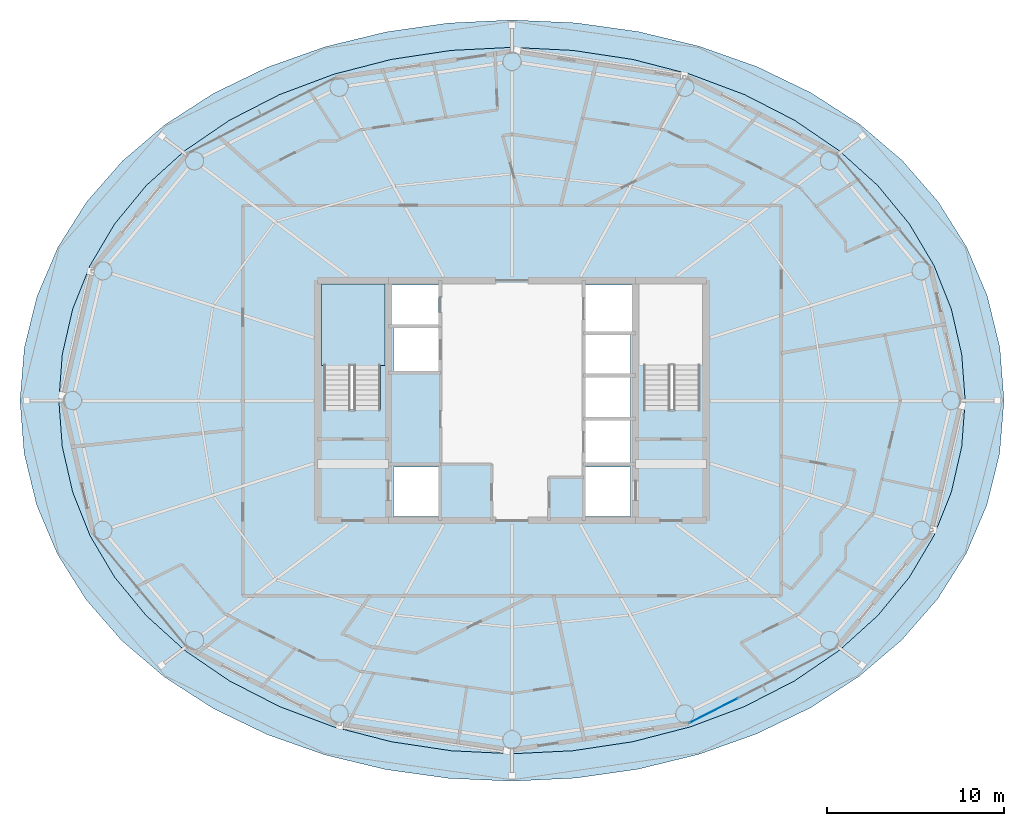
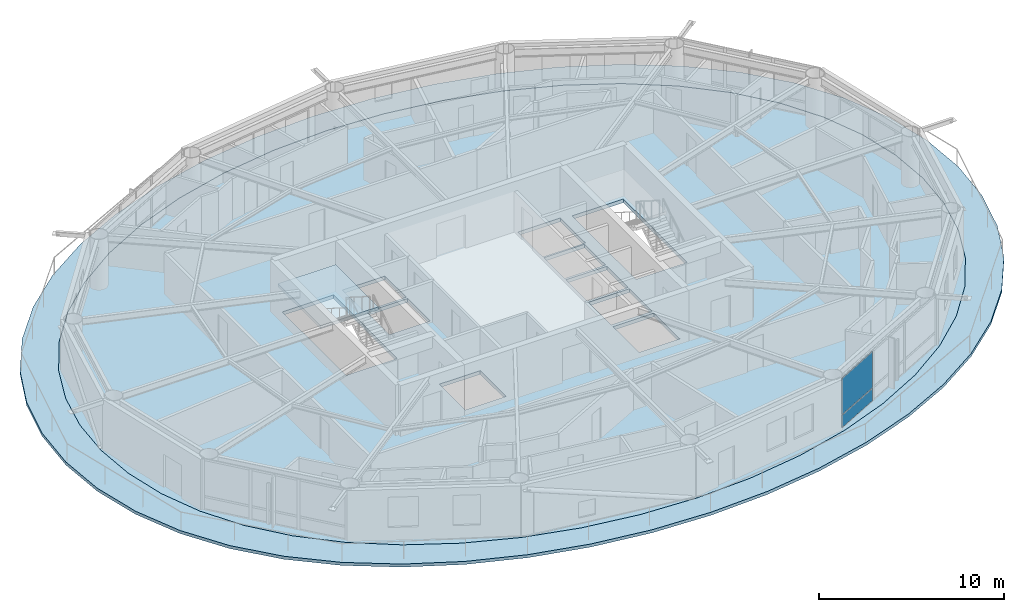
# One storey, part 13 of 23: 3 slabs, 2 plates, 2 elements without a shape of their own.
"""IFC4 building model written with IfcOpenShell, lengths in metres."""

from ifc_helpers import new_model, si_unit, direction, frame, origin, origin_2d, place, context, subcontext, project, spatial, polyline, rectangle, outline, extrude, material, layer, layer_set, type_object, element, aggregate, save


model = new_model("IFC4")

# Units and contexts
model_context = context("Model", 3, precision=1e-05, world=origin(), true_north=direction((0.0, 1.0)))
body_context = subcontext(model_context, "Body", "Model", "MODEL_VIEW")
ifc_project = project(units=[si_unit("LENGTHUNIT", "METRE"), si_unit("AREAUNIT", "SQUARE_METRE"), si_unit("VOLUMEUNIT", "CUBIC_METRE"), si_unit("PLANEANGLEUNIT", "RADIAN"), si_unit("MASSUNIT", "GRAM", prefix="KILO")], contexts=[model_context])

# Site, building, storey
site_placement = place(None, origin())
site = spatial("IfcSite", under=ifc_project, at=site_placement, CompositionType="ELEMENT")
building_placement = place(site_placement, origin())
building = spatial("IfcBuilding", under=site, at=building_placement, Name="Sarneth Arch Tower", CompositionType="ELEMENT")
storey_placement = place(building_placement, frame((0.0, 0.0, 246.0)))
storey = spatial("IfcBuildingStorey", under=building, at=storey_placement, Name="L63", CompositionType="ELEMENT", Elevation=246.0)

# Curtain wall, plates
ifc_material_1 = material(Name="Anodised aluminium Type AA25 and solar-control low-e laminated IGU", Category="aluminium")
ifc_layer_1 = layer(ifc_material_1, 0.179931640625)
ifc_layer_set_1 = layer_set([ifc_layer_1], Name="Anodised aluminium Type AA25 and solar-control low-e laminated IGU")
curtain_wall_type = type_object("IfcCurtainWallType", Name="CW-RES-HIGH", PredefinedType="NOTDEFINED", material=ifc_layer_set_1)
curtain_wall_placement = place(storey_placement, origin())
curtain_wall = element("IfcCurtainWall", 1, at=curtain_wall_placement, inside=storey, type_object=curtain_wall_type, Name="L63 Unitised curtain wall facet 14", PredefinedType="NOTDEFINED")
ifc_material_2 = material(Name="Solar-control low-e laminated IGU", Category="glass")
ifc_layer_2 = layer(ifc_material_2, 0.028076171875)
ifc_layer_set_2 = layer_set([ifc_layer_2], Name="Solar-control low-e laminated IGU")
plate_type = type_object("IfcPlateType", Name="CW-PANEL", PredefinedType="CURTAIN_PANEL", material=ifc_layer_set_2)
plate_1_placement = place(storey_placement, frame((59.4208984375, 24.447021484375, 0.06005859375), z_axis=(0.0, 0.0, 1.0), x_axis=(0.890009540525, 0.455941901753, 0.0)))
plate_1 = element("IfcPlate", 2, at=plate_1_placement, type_object=plate_type, Name="Curtain wall glazed vision pane CW-L63-F14/P00-00", PredefinedType="CURTAIN_PANEL", context=body_context, shape_type="SweptSolid", body=[
    extrude(rectangle(XDim=3.044677734375, YDim=0.028076171875, at=origin_2d()), origin(), (0.0, 0.0, 1.0), 0.81005859375),
])
plate_2_placement = place(storey_placement, frame((59.4208984375, 24.447021484375, 0.929931640625), z_axis=(0.0, 0.0, 1.0), x_axis=(0.890009540525, 0.455941901753, 0.0)))
plate_2 = element("IfcPlate", 3, at=plate_2_placement, type_object=plate_type, Name="Curtain wall glazed vision pane CW-L63-F14/P00-01", PredefinedType="CURTAIN_PANEL", context=body_context, shape_type="SweptSolid", body=[
    extrude(rectangle(XDim=3.044677734375, YDim=0.028076171875, at=origin_2d()), origin(), (0.0, 0.0, 1.0), 2.3701171875),
])
aggregate(curtain_wall, [plate_1, plate_2])

# Slab
ifc_material_3 = material(Name="Concrete C50/60", Category="concrete")
ifc_layer_3 = layer(ifc_material_3, 0.199951171875)
ifc_layer_set_3 = layer_set([ifc_layer_3], Name="Concrete C50/60")
slab_type_1 = type_object("IfcSlabType", Name="SLAB-BALC-200", PredefinedType="FLOOR", material=ifc_layer_set_3)
slab_1_placement = place(storey_placement, frame((0.0, 0.0, -0.199951171875)))
element("IfcSlab", 4, at=slab_1_placement, inside=storey, type_object=slab_type_1, Name="L63 Helical balcony band slab", PredefinedType="FLOOR", context=body_context, shape_type="SweptSolid", body=[
    extrude(outline(polyline([(75.860107421875, 42.0), (75.6259765625, 44.996337890625), (74.916259765625, 47.9150390625), (73.744384765625, 50.68701171875), (72.129150390625, 53.25927734375), (70.095947265625, 55.592529296875), (67.677734375, 57.65869140625), (64.91796875, 59.43603515625), (61.8701171875, 60.908203125), (58.593994140625, 62.063232421875), (55.1513671875, 62.89208984375), (51.601318359375, 63.388916015625), (48.0, 63.55078125), (44.399658203125, 63.377197265625), (40.853271484375, 62.869873046875), (37.41552734375, 62.03271484375), (34.1455078125, 60.872314453125), (31.10400390625, 59.398193359375), (28.349609375, 57.622314453125), (25.9345703125, 55.561279296875), (23.90185546875, 53.235107421875), (22.28369140625, 50.67138671875), (21.10498046875, 47.9072265625), (20.3857421875, 44.994140625), (20.139892578125, 42.0), (20.3740234375, 39.003662109375), (21.083740234375, 36.0849609375), (22.255615234375, 33.31298828125), (23.870849609375, 30.74072265625), (25.904052734375, 28.407470703125), (28.322265625, 26.34130859375), (31.08203125, 24.56396484375), (34.1298828125, 23.091796875), (37.406005859375, 21.936767578125), (40.8486328125, 21.10791015625), (44.398681640625, 20.611083984375), (48.0, 20.44921875), (51.600341796875, 20.622802734375), (55.146728515625, 21.130126953125), (58.58447265625, 21.96728515625), (61.8544921875, 23.127685546875), (64.89599609375, 24.601806640625), (67.650390625, 26.377685546875), (70.0654296875, 28.438720703125), (72.09814453125, 30.764892578125), (73.71630859375, 33.32861328125), (74.89501953125, 36.0927734375), (75.6142578125, 39.005859375), (75.860107421875, 42.0)]), holes=[polyline([(73.660888671875, 42.0), (73.466064453125, 44.610595703125), (72.87890625, 47.17626953125), (71.892822265625, 49.653564453125), (70.5029296875, 52.0), (68.712158203125, 54.17529296875), (66.536865234375, 56.14208984375), (64.009521484375, 57.8671875), (61.177001953125, 59.320556640625), (58.0966796875, 60.4775390625), (54.83203125, 61.318603515625), (51.44580078125, 61.828857421875), (48.0, 62.0), (44.55419921875, 61.828857421875), (41.16796875, 61.318603515625), (37.9033203125, 60.4775390625), (34.822998046875, 59.320556640625), (31.990478515625, 57.8671875), (29.463134765625, 56.14208984375), (27.287841796875, 54.17529296875), (25.4970703125, 52.0), (24.107177734375, 49.653564453125), (23.12109375, 47.17626953125), (22.533935546875, 44.610595703125), (22.339111328125, 42.0), (22.533935546875, 39.389404296875), (23.12109375, 36.82373046875), (24.107177734375, 34.346435546875), (25.4970703125, 32.0), (27.287841796875, 29.82470703125), (29.463134765625, 27.85791015625), (31.990478515625, 26.1328125), (34.822998046875, 24.679443359375), (37.9033203125, 23.5224609375), (41.16796875, 22.681396484375), (44.55419921875, 22.171142578125), (48.0, 22.0), (51.44580078125, 22.171142578125), (54.83203125, 22.681396484375), (58.0966796875, 23.5224609375), (61.177001953125, 24.679443359375), (64.009521484375, 26.1328125), (66.536865234375, 27.85791015625), (68.712158203125, 29.82470703125), (70.5029296875, 32.0), (71.892822265625, 34.346435546875), (72.87890625, 36.82373046875), (73.466064453125, 39.389404296875), (73.660888671875, 42.0)])]), origin(), (0.0, 0.0, 1.0), 0.199951171875),
])

# Stair, slab
ifc_material_4 = material(Name="Concrete C50/60", Category="concrete")
stair_type = type_object("IfcStairType", Name="STAIR-CORE-RC", PredefinedType="HALF_TURN_STAIR", material=ifc_material_4)
stair_placement = place(storey_placement, origin())
stair = element("IfcStair", 5, at=stair_placement, inside=storey, type_object=stair_type, Name="L63 Core Exit Stair 1", PredefinedType="HALF_TURN_STAIR")
ifc_material_5 = material(Name="Concrete C50/60", Category="concrete")
ifc_layer_4 = layer(ifc_material_5, 0.199951171875)
ifc_layer_set_4 = layer_set([ifc_layer_4], Name="Concrete C50/60")
slab_type_2 = type_object("IfcSlabType", Name="SLAB-LANDING-200", PredefinedType="LANDING", material=ifc_layer_set_4)
slab_2_placement = place(storey_placement, frame((0.0, 0.0, 1.60009765625)))
slab_2 = element("IfcSlab", 6, at=slab_2_placement, type_object=slab_type_2, Name="ST-1 landing 1", PredefinedType="LANDING", context=body_context, shape_type="SweptSolid", body=[
    extrude(outline(polyline([(37.199951171875, 43.985107421875), (40.800048828125, 43.985107421875), (40.800048828125, 48.60009765625), (37.199951171875, 48.60009765625), (37.199951171875, 43.985107421875)])), origin(), (0.0, 0.0, 1.0), 0.199951171875),
])
aggregate(stair, [slab_2])

# Slab
ifc_material_6 = material(Name="Concrete C50/60", Category="concrete")
ifc_layer_5 = layer(ifc_material_6, 0.239990234375)
ifc_layer_set_5 = layer_set([ifc_layer_5], Name="Concrete C50/60")
slab_type_3 = type_object("IfcSlabType", Name="SLAB-TOWER-240", PredefinedType="FLOOR", material=ifc_layer_set_5)
slab_3_placement = place(storey_placement, frame((0.0, 0.0, -0.239990234375)))
element("IfcSlab", 7, at=slab_3_placement, inside=storey, type_object=slab_type_3, Name="L63 Elliptical floor slab", PredefinedType="FLOOR", context=body_context, shape_type="SweptSolid", body=[
    extrude(outline(polyline([(73.660888671875, 42.0), (73.466064453125, 44.610595703125), (72.87890625, 47.17626953125), (71.892822265625, 49.653564453125), (70.5029296875, 52.0), (68.712158203125, 54.17529296875), (66.536865234375, 56.14208984375), (64.009521484375, 57.8671875), (61.177001953125, 59.320556640625), (58.0966796875, 60.4775390625), (54.83203125, 61.318603515625), (51.44580078125, 61.828857421875), (48.0, 62.0), (44.55419921875, 61.828857421875), (41.16796875, 61.318603515625), (37.9033203125, 60.4775390625), (34.822998046875, 59.320556640625), (31.990478515625, 57.8671875), (29.463134765625, 56.14208984375), (27.287841796875, 54.17529296875), (25.4970703125, 52.0), (24.107177734375, 49.653564453125), (23.12109375, 47.17626953125), (22.533935546875, 44.610595703125), (22.339111328125, 42.0), (22.533935546875, 39.389404296875), (23.12109375, 36.82373046875), (24.107177734375, 34.346435546875), (25.4970703125, 32.0), (27.287841796875, 29.82470703125), (29.463134765625, 27.85791015625), (31.990478515625, 26.1328125), (34.822998046875, 24.679443359375), (37.9033203125, 23.5224609375), (41.16796875, 22.681396484375), (44.55419921875, 22.171142578125), (48.0, 22.0), (51.44580078125, 22.171142578125), (54.83203125, 22.681396484375), (58.0966796875, 23.5224609375), (61.177001953125, 24.679443359375), (64.009521484375, 26.1328125), (66.536865234375, 27.85791015625), (68.712158203125, 29.82470703125), (70.5029296875, 32.0), (71.892822265625, 34.346435546875), (72.87890625, 36.82373046875), (73.466064453125, 39.389404296875), (73.660888671875, 42.0)]), holes=[polyline([(37.35009765625, 41.489990234375), (40.550048828125, 41.489990234375), (40.550048828125, 48.39990234375), (37.35009765625, 48.39990234375), (37.35009765625, 41.489990234375)]), polyline([(55.449951171875, 41.489990234375), (58.64990234375, 41.489990234375), (58.64990234375, 48.39990234375), (55.449951171875, 48.39990234375), (55.449951171875, 41.489990234375)]), polyline([(41.199951171875, 46.25), (43.85009765625, 46.25), (43.85009765625, 48.550048828125), (41.199951171875, 48.550048828125), (41.199951171875, 46.25)]), polyline([(41.300048828125, 35.449951171875), (43.85009765625, 35.449951171875), (43.85009765625, 38.25), (41.300048828125, 38.25), (41.300048828125, 35.449951171875)]), polyline([(52.14990234375, 35.449951171875), (54.699951171875, 35.449951171875), (54.699951171875, 38.25), (52.14990234375, 38.25), (52.14990234375, 35.449951171875)]), polyline([(52.14990234375, 45.85009765625), (54.800048828125, 45.85009765625), (54.800048828125, 48.550048828125), (52.14990234375, 48.550048828125), (52.14990234375, 45.85009765625)]), polyline([(41.300048828125, 43.64990234375), (43.85009765625, 43.64990234375), (43.85009765625, 46.10009765625), (41.300048828125, 46.10009765625), (41.300048828125, 43.64990234375)]), polyline([(52.14990234375, 38.449951171875), (54.699951171875, 38.449951171875), (54.699951171875, 40.89990234375), (52.14990234375, 40.89990234375), (52.14990234375, 38.449951171875)]), polyline([(52.14990234375, 41.050048828125), (54.699951171875, 41.050048828125), (54.699951171875, 43.35009765625), (52.14990234375, 43.35009765625), (52.14990234375, 41.050048828125)]), polyline([(52.14990234375, 43.5), (54.699951171875, 43.5), (54.699951171875, 45.75), (52.14990234375, 45.75), (52.14990234375, 43.5)])]), origin(), (0.0, 0.0, 1.0), 0.239990234375),
])

save(model, "model.ifc")
